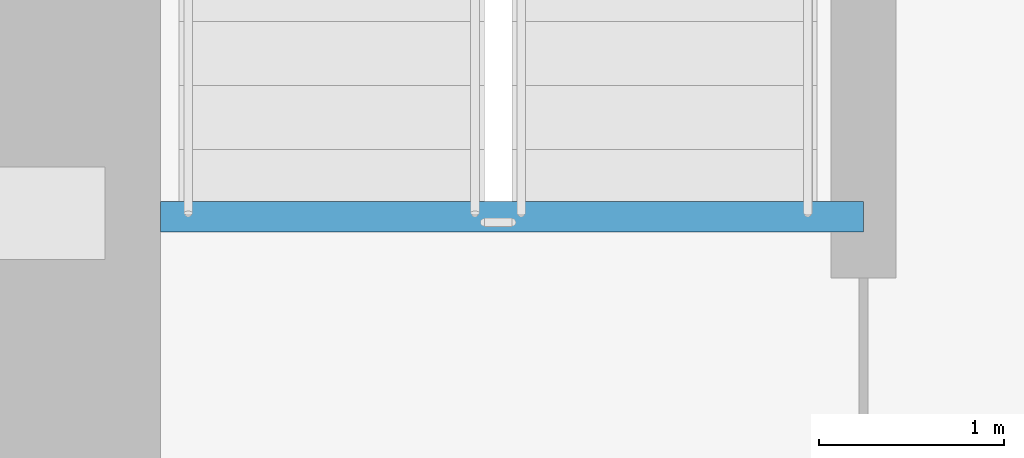
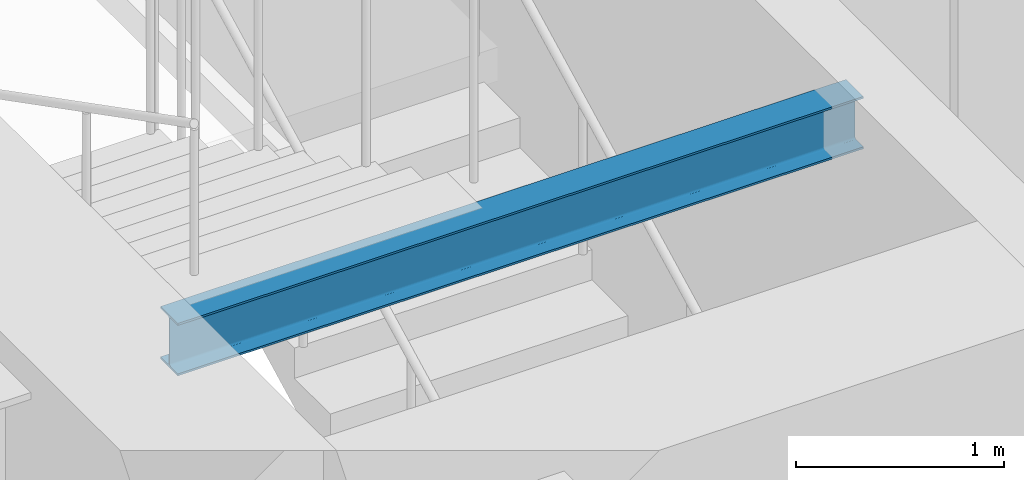
# One storey, part 20 of 30: 1 beam.
"""IFC4 building model written with IfcOpenShell, lengths in metres."""

from ifc_helpers import new_model, si_unit, direction, frame, origin, origin_2d, place, context, subcontext, project, spatial, i_section, extrude, source, transform, mapped, material, material_profile, profile_set, type_object, type_shapes, element, save


model = new_model("IFC4")

# Units and contexts
model_context = context("Model", 3, precision=1e-05, world=origin(), true_north=direction((0.0, 1.0)))
body_context = subcontext(model_context, "Body", "Model", "MODEL_VIEW")
ifc_project = project(units=[si_unit("LENGTHUNIT", "METRE"), si_unit("AREAUNIT", "SQUARE_METRE"), si_unit("VOLUMEUNIT", "CUBIC_METRE"), si_unit("PLANEANGLEUNIT", "RADIAN"), si_unit("MASSUNIT", "GRAM", prefix="KILO")], contexts=[model_context])

# Site, building, storey
site_placement = place(None, origin())
site = spatial("IfcSite", under=ifc_project, at=site_placement, CompositionType="ELEMENT")
building_placement = place(site_placement, origin())
building = spatial("IfcBuilding", under=site, at=building_placement, Name="Tolvann Quenvar Hotel", CompositionType="ELEMENT")
storey_placement = place(building_placement, frame((0.0, 0.0, 56.85009765625)))
storey = spatial("IfcBuildingStorey", under=building, at=storey_placement, Name="L13", CompositionType="ELEMENT", Elevation=56.85009765625)

# Beam
ifc_material = material(Name="Steel Grade 350", Category="steel")
ifc_material_profile = material_profile(ifc_material, i_section(OverallWidth=0.166015625, OverallDepth=0.306884765625, WebThickness=0.006591796875, FlangeThickness=0.01171875, FilletRadius=0.011474609375, at=origin_2d()), Name="310UB46")
ifc_profile_set = profile_set([ifc_material_profile], Name="Steel Grade 350")
beam_type = type_object("IfcBeamType", Name="BM_JOIST_310UB46", PredefinedType="JOIST", material=ifc_profile_set)
shared_shape = source(origin(), body_context, "Body", "SweptSolid", [
    extrude(i_section(OverallWidth=0.166015625, OverallDepth=0.306884765625, WebThickness=0.006591796875, FlangeThickness=0.01171875, FilletRadius=0.011474609375, at=origin_2d()), origin(), (0.0, 0.0, 1.0), 3.800048828125),
])
type_shapes(beam_type, [shared_shape])
beam_placement = place(storey_placement, frame((10.5, 33.97998046875, 3.21630859375), z_axis=(1.0, 0.0, 0.0), x_axis=(0.0, 1.0, 0.0)))
element("IfcBeam", 1, at=beam_placement, inside=storey, type_object=beam_type, Name="BM-HDR-STC1-L14", PredefinedType="JOIST", context=body_context, shape_type="MappedRepresentation", body=[
    mapped(shared_shape, transform((0.0, 0.0, 0.0), x_axis=(1.0, 0.0, 0.0), y_axis=(0.0, 1.0, 0.0), z_axis=(0.0, 0.0, 1.0), scale=1.0)),
])

save(model, "model.ifc")
